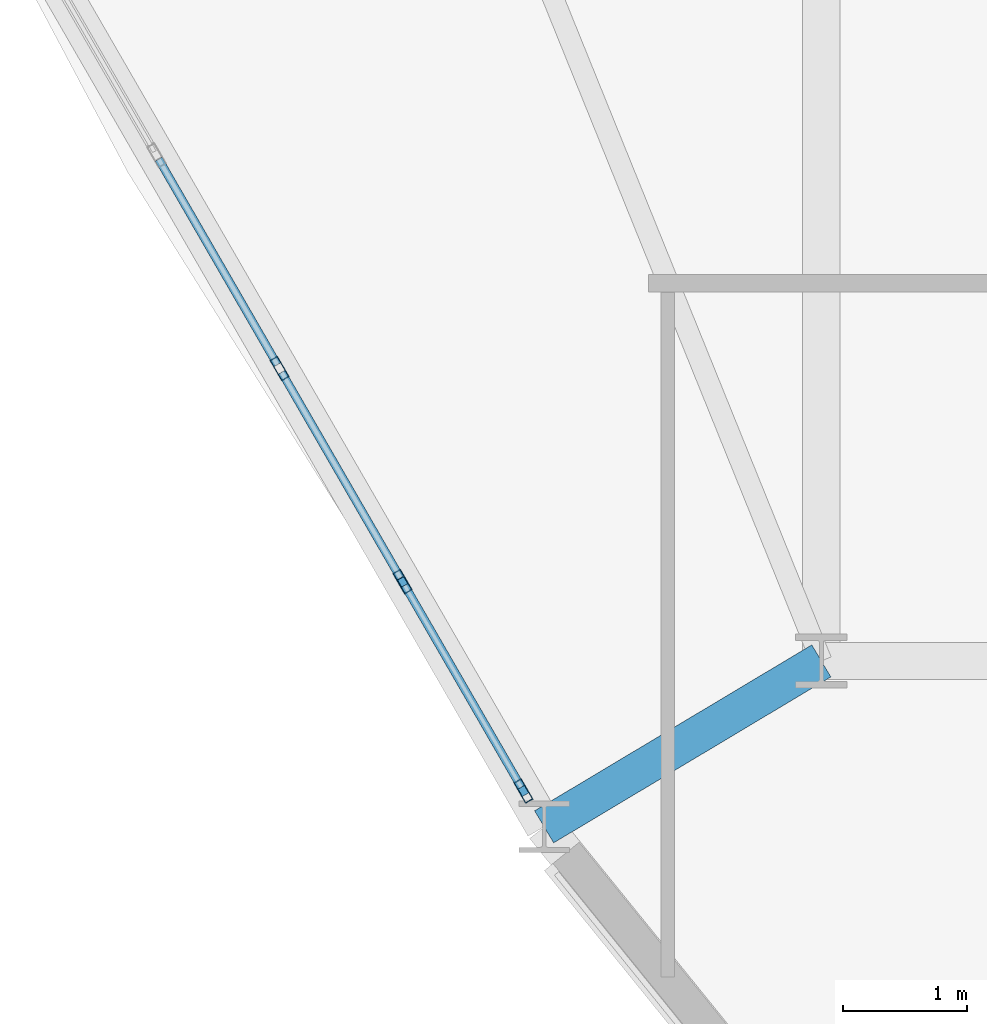
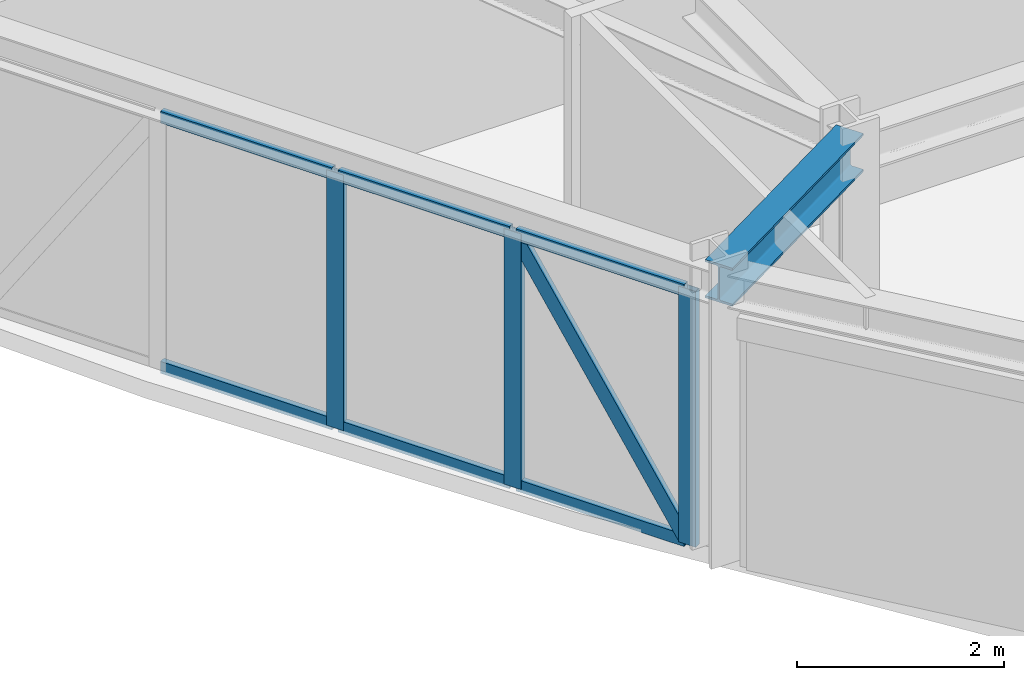
# One storey, part 2 of 14: 10 members, 1 beam, 1 element without a shape of its own.
"""IFC4 building model written with IfcOpenShell, lengths in metres."""

import ifcopenshell
import ifcopenshell.guid

model = None  # the IFC model being written
_history = None  # IfcOwnerHistory: only IFC2X3 demands one
_inside = {}  # id of a spatial element -> (the spatial element, [elements in it])
_under = {}  # id of a project, library or spatial element -> (it, [spatial elements below it])
_declared = {}  # id of a project -> (the project, [libraries it declares])
_typed = {}  # id of a type object -> (the type object, [elements of that type])
_made_of = {}  # id of a material, layer set ... -> (it, [elements and type objects made of it])


def new_model(schema):
    """Start an empty IFC model of exactly this schema.

    Asked for "IFC4X3", IfcOpenShell would pick the latest addendum, in which some entities
    have other attributes; the version numbers below select the first issue.
    IFC2X3 requires an IfcOwnerHistory on every rooted entity: one is made here for all.
    """
    global model, _history
    if schema == "IFC4X3":
        model = ifcopenshell.file(schema_version=(4, 3, 0, 0))
    else:
        model = ifcopenshell.file(schema=schema)
    _inside.clear()
    _under.clear()
    _declared.clear()
    _typed.clear()
    _made_of.clear()
    _history = None
    if model.schema == "IFC2X3":
        org = make("IfcOrganization", Name="unknown")
        user = make(
            "IfcPersonAndOrganization",
            ThePerson=make("IfcPerson", FamilyName="unknown"),
            TheOrganization=org,
        )
        app = make(
            "IfcApplication",
            ApplicationDeveloper=org,
            Version="unknown",
            ApplicationFullName="unknown",
            ApplicationIdentifier="unknown",
        )
        _history = make(
            "IfcOwnerHistory",
            OwningUser=user,
            OwningApplication=app,
            ChangeAction="ADDED",
            CreationDate=0,
        )
    return model


def make(cls, **values):
    """One entity of the class cls with the attributes given. An attribute that is None is left unset."""
    return model.create_entity(
        cls, **{name: value for name, value in values.items() if value is not None}
    )


def rooted(cls, **values):
    """An entity with a GlobalId (a new one), such as an element, a storey or a relation."""
    return make(cls, GlobalId=ifcopenshell.guid.new(), OwnerHistory=_history, **values)


def si_unit(unit_type, name, prefix=None):
    """IfcSIUnit, for example si_unit("LENGTHUNIT", "METRE", prefix="MILLI")."""
    return make("IfcSIUnit", UnitType=unit_type, Prefix=prefix, Name=name)


def derived_unit(unit_type, elements):
    """IfcDerivedUnit: a product of units, each with its exponent."""
    return make(
        "IfcDerivedUnit",
        Elements=[
            make("IfcDerivedUnitElement", Unit=unit, Exponent=power)
            for unit, power in elements
        ],
        UnitType=unit_type,
    )


def assignment(units):
    """IfcUnitAssignment: the units of a project."""
    return None if units is None else make("IfcUnitAssignment", Units=units)


def point(xyz):
    """IfcCartesianPoint."""
    return None if xyz is None else make("IfcCartesianPoint", Coordinates=xyz)


def direction(xyz):
    """IfcDirection."""
    return None if xyz is None else make("IfcDirection", DirectionRatios=xyz)


def frame(location, z_axis=None, x_axis=None):
    """IfcAxis2Placement3D, a coordinate frame: its origin and axes. An axis left out is left unset."""
    return make(
        "IfcAxis2Placement3D",
        Location=point(location),
        Axis=direction(z_axis),
        RefDirection=direction(x_axis),
    )


def frame_2d(location, x_axis=None):
    """IfcAxis2Placement2D, a coordinate frame in the plane: its origin and x axis."""
    return make(
        "IfcAxis2Placement2D", Location=point(location), RefDirection=direction(x_axis)
    )


def origin():
    """The frame at (0, 0, 0) with its axes left unset."""
    return frame((0.0, 0.0, 0.0))


def origin_2d():
    """The frame at (0, 0) in the plane with its x axis left unset."""
    return frame_2d((0.0, 0.0))


def place(relative_to, where):
    """IfcLocalPlacement: puts the frame where relative to a parent placement (None: the world)."""
    return make(
        "IfcLocalPlacement", PlacementRelTo=relative_to, RelativePlacement=where
    )


def context(
    kind, dimensions, precision=None, world=None, true_north=None, identifier=None
):
    """IfcGeometricRepresentationContext, for example the 3D "Model" context."""
    return make(
        "IfcGeometricRepresentationContext",
        ContextIdentifier=identifier,
        ContextType=kind,
        CoordinateSpaceDimension=dimensions,
        Precision=precision,
        WorldCoordinateSystem=world,
        TrueNorth=true_north,
    )


def subcontext(parent, identifier, kind, view, scale=None):
    """IfcGeometricRepresentationSubContext, for example "Body" below "Model"."""
    return make(
        "IfcGeometricRepresentationSubContext",
        ContextIdentifier=identifier,
        ContextType=kind,
        ParentContext=parent,
        TargetScale=scale,
        TargetView=view,
    )


def project(units=None, contexts=None):
    """IfcProject with its units and contexts."""
    return rooted(
        "IfcProject",
        Name="project",
        RepresentationContexts=contexts,
        UnitsInContext=assignment(units),
    )


def spatial(cls, under=None, at=None, **own):
    """A site, building, storey or space (cls), placed at a placement, below another one or the project."""
    s = rooted(cls, ObjectPlacement=at, **own)
    if under is not None:
        _under.setdefault(under.id(), (under, []))[1].append(s)
    return s


def profile(cls, at=None, kind="AREA", **sizes):
    """A parametric profile (cls). Its sizes go by their IFC names, for example OverallWidth=200.0."""
    return make(cls, ProfileType=kind, Position=at, **sizes)


def hollow_rectangle(**sizes):
    """IfcRectangleHollowProfileDef."""
    return profile("IfcRectangleHollowProfileDef", **sizes)


def i_section(**sizes):
    """IfcIShapeProfileDef."""
    return profile("IfcIShapeProfileDef", **sizes)


def extrude(swept, where, along, depth):
    """IfcExtrudedAreaSolid: the profile swept, set in the frame where, extruded along a direction by depth."""
    return make(
        "IfcExtrudedAreaSolid",
        SweptArea=swept,
        Position=where,
        ExtrudedDirection=direction(along),
        Depth=depth,
    )


def shape(context_of_items, identifier, shape_type, items):
    """IfcShapeRepresentation: the items that make up one representation, for example the "Body"."""
    return make(
        "IfcShapeRepresentation",
        ContextOfItems=context_of_items,
        RepresentationIdentifier=identifier,
        RepresentationType=shape_type,
        Items=items,
    )


def source(mapping_origin, context_of_items, identifier, shape_type, items):
    """IfcRepresentationMap: a shape defined once, which mapped items show again and again."""
    return make(
        "IfcRepresentationMap",
        MappingOrigin=mapping_origin,
        MappedRepresentation=shape(context_of_items, identifier, shape_type, items),
    )


def transform(
    local_origin,
    x_axis=None,
    y_axis=None,
    z_axis=None,
    scale=None,
    scale2=None,
    scale3=None,
    uniform=True,
):
    """IfcCartesianTransformationOperator3D, or its non-uniform kind. x_axis, y_axis, z_axis: its Axis1, 2, 3."""
    if uniform:
        return make(
            "IfcCartesianTransformationOperator3D",
            Axis1=direction(x_axis),
            Axis2=direction(y_axis),
            LocalOrigin=point(local_origin),
            Scale=scale,
            Axis3=direction(z_axis),
        )
    return make(
        "IfcCartesianTransformationOperator3DnonUniform",
        Axis1=direction(x_axis),
        Axis2=direction(y_axis),
        LocalOrigin=point(local_origin),
        Scale=scale,
        Axis3=direction(z_axis),
        Scale2=scale2,
        Scale3=scale3,
    )


def mapped(mapping_source, mapping_target):
    """IfcMappedItem: shows the shape of a source again, moved by a transform."""
    return make(
        "IfcMappedItem", MappingSource=mapping_source, MappingTarget=mapping_target
    )


def material(Name=None, Category=None):
    """IfcMaterial."""
    return make("IfcMaterial", Name=Name, Category=Category)


def layer(
    of_material, thickness, ventilated=None, Name=None, Category=None, Priority=None
):
    """IfcMaterialLayer: one layer of a wall or slab, of a material (None: an air gap)."""
    return make(
        "IfcMaterialLayer",
        Material=of_material,
        LayerThickness=thickness,
        IsVentilated=ventilated,
        Name=Name,
        Category=Category,
        Priority=Priority,
    )


def layer_set(layers, Name=None):
    """IfcMaterialLayerSet."""
    return make("IfcMaterialLayerSet", MaterialLayers=layers, LayerSetName=Name)


def material_profile(
    of_material, cross_section, Name=None, Category=None, Priority=None
):
    """IfcMaterialProfile: a cross section and its material."""
    return make(
        "IfcMaterialProfile",
        Name=Name,
        Material=of_material,
        Profile=cross_section,
        Priority=Priority,
        Category=Category,
    )


def profile_set(profiles, Name=None, composite=None):
    """IfcMaterialProfileSet."""
    return make(
        "IfcMaterialProfileSet",
        Name=Name,
        MaterialProfiles=profiles,
        CompositeProfile=composite,
    )


def made_of(thing, what):
    """Note that an element or type object is made of a material, layer set ...; save() writes the relation."""
    if what is not None:
        _made_of.setdefault(what.id(), (what, []))[1].append(thing)
    return thing


def type_object(cls, material=None, **own):
    """A type object (cls), such as IfcWallType, which elements share."""
    return made_of(rooted(cls, **own), material)


def element(
    cls,
    number,
    at=None,
    inside=None,
    cuts=None,
    type_object=None,
    material=None,
    context=None,
    identifier="Body",
    shape_type=None,
    held_by="IfcProductDefinitionShape",
    body=None,
    shapes=None,
    **own,
):
    """One element of the class cls, such as IfcWall. Its Tag is "e" and its number.

    at: its placement. inside: the storey or other place that contains it. cuts: it is an
    opening in that element (IfcRelVoidsElement). A single representation is given by context,
    identifier, shape_type and body (its items); several are given by shapes. held_by: the class
    of the entity that holds the representations. save() writes the other relations.
    """
    e = rooted(cls, Tag="e%d" % number, ObjectPlacement=at, **own)
    if body is not None:
        shapes = [shape(context, identifier, shape_type, body)]
    if shapes is not None:
        e.Representation = make(held_by, Representations=shapes)
    if inside is not None:
        _inside.setdefault(inside.id(), (inside, []))[1].append(e)
    if cuts is not None:
        rooted(
            "IfcRelVoidsElement", RelatingBuildingElement=cuts, RelatedOpeningElement=e
        )
    if type_object is not None:
        _typed.setdefault(type_object.id(), (type_object, []))[1].append(e)
    return made_of(e, material)


def aggregate(whole, parts):
    """IfcRelAggregates: a whole, such as a stair, and the parts it consists of."""
    return rooted("IfcRelAggregates", RelatingObject=whole, RelatedObjects=parts)


def save(model, path):
    """Write the relations noted so far, then the file.

    IfcRelAggregates (storeys below a building ...), IfcRelContainedInSpatialStructure (elements
    in a storey), IfcRelDefinesByType, IfcRelAssociatesMaterial and IfcRelDeclares: one each for
    every whole, place, type object, material and project.
    """
    for whole, parts in _under.values():
        aggregate(whole, parts)
    for where, things in _inside.values():
        rooted(
            "IfcRelContainedInSpatialStructure",
            RelatedElements=things,
            RelatingStructure=where,
        )
    for kind, things in _typed.values():
        rooted("IfcRelDefinesByType", RelatedObjects=things, RelatingType=kind)
    for what, things in _made_of.values():
        rooted("IfcRelAssociatesMaterial", RelatedObjects=things, RelatingMaterial=what)
    for by, libraries in _declared.values():
        rooted("IfcRelDeclares", RelatingContext=by, RelatedDefinitions=libraries)
    model.write(path)


model = new_model("IFC4")

# Units and contexts
model_context = context("Model", 3, precision=1e-05, world=origin(), true_north=direction((0.0, 1.0)))
body_context = subcontext(model_context, "Body", "Model", "MODEL_VIEW")
ifc_project = project(units=[si_unit("LENGTHUNIT", "METRE"), si_unit("AREAUNIT", "SQUARE_METRE"), si_unit("VOLUMEUNIT", "CUBIC_METRE"), si_unit("PLANEANGLEUNIT", "RADIAN"), si_unit("MASSUNIT", "GRAM", prefix="KILO"), derived_unit("THERMALTRANSMITTANCEUNIT", [(si_unit("POWERUNIT", "WATT"), 1), (si_unit("LENGTHUNIT", "METRE"), -2), (si_unit("THERMODYNAMICTEMPERATUREUNIT", "KELVIN"), -1)])], contexts=[model_context])

# Site, building, storey
site_placement = place(None, origin())
site = spatial("IfcSite", under=ifc_project, at=site_placement, CompositionType="ELEMENT")
building_placement = place(site_placement, origin())
building = spatial("IfcBuilding", under=site, at=building_placement, Name="Korsvarv Bourse and Concert Hall", CompositionType="ELEMENT")
storey_placement = place(building_placement, frame((0.0, 0.0, 190.199951171875)))
storey = spatial("IfcBuildingStorey", under=building, at=storey_placement, Name="L49", CompositionType="ELEMENT", Elevation=190.199951171875)

# Beam
ifc_material_1 = material(Name="Steel S355", Category="steel")
ifc_material_profile_1 = material_profile(ifc_material_1, i_section(OverallWidth=0.300048828125, OverallDepth=0.449951171875, WebThickness=0.013916015625, FlangeThickness=0.02587890625, FilletRadius=0.02099609375, at=origin_2d()), Name="HEB 450")
ifc_profile_set_1 = profile_set([ifc_material_profile_1], Name="Steel S355")
beam_type = type_object("IfcBeamType", Name="BM-HEB450", PredefinedType="SPANDREL", material=ifc_profile_set_1)
shared_shape_1 = source(origin(), body_context, "Body", "SweptSolid", [
    extrude(i_section(OverallWidth=0.300048828125, OverallDepth=0.449951171875, WebThickness=0.013916015625, FlangeThickness=0.02587890625, FilletRadius=0.02099609375, at=origin_2d()), origin(), (0.0, 0.0, 1.0), 2.59765625),
])
beam_placement = place(storey_placement, frame((25.37109375, 22.666015625, 3.175048828125), z_axis=(0.858072868624, 0.513527946787, 0.0), x_axis=(-0.513527946787, 0.858072868624, 0.0)))
element("IfcBeam", 1, at=beam_placement, inside=storey, type_object=beam_type, Name="L49 beam B-08", PredefinedType="SPANDREL", context=body_context, shape_type="MappedRepresentation", body=[
    mapped(shared_shape_1, transform((0.0, 0.0, 0.0), scale=1.0)),
])

# Curtain wall, members
ifc_material_2 = material(Name="Anodised aluminium and triple low-E glazing", Category="glass")
ifc_layer = layer(ifc_material_2, 0.199951171875)
ifc_layer_set = layer_set([ifc_layer], Name="Anodised aluminium and triple low-E glazing")
curtain_wall_type = type_object("IfcCurtainWallType", Name="CW-SYS-3", PredefinedType="NOTDEFINED", material=ifc_layer_set)
curtain_wall_placement = place(storey_placement, origin())
curtain_wall = element("IfcCurtainWall", 2, at=curtain_wall_placement, inside=storey, type_object=curtain_wall_type, Name="L49 CW3 curtain wall CW-L49-F07", PredefinedType="NOTDEFINED")
ifc_material_3 = material(Name="Extruded aluminium EN AW-6063 T66", Category="aluminium")
ifc_material_profile_2 = material_profile(ifc_material_3, hollow_rectangle(XDim=0.06494140625, YDim=0.139892578125, WallThickness=0.00390625, at=origin_2d()), Name="ALU-T 65x140")
ifc_profile_set_2 = profile_set([ifc_material_profile_2], Name="Extruded aluminium EN AW-6063 T66")
member_type_1 = type_object("IfcMemberType", Name="CWT-140", PredefinedType="USERDEFINED", material=ifc_profile_set_2)
shared_shape_2 = source(origin(), body_context, "Body", "SweptSolid", [
    extrude(hollow_rectangle(XDim=0.06494140625, YDim=0.139892578125, WallThickness=0.00390625, at=origin_2d()), origin(), (0.0, 0.0, 1.0), 1.908447265625),
])
member_1_placement = place(storey_placement, frame((22.272216796875, 28.033935546875, 0.032470703125), z_axis=(0.499936548189, -0.866062034606, 0.0), x_axis=(0.866062034606, 0.499936548189, 0.0)))
member_1 = element("IfcMember", 3, at=member_1_placement, type_object=member_type_1, Name="CW3 transom 4.1", ObjectType="TRANSOM", PredefinedType="USERDEFINED", context=body_context, shape_type="MappedRepresentation", body=[
    mapped(shared_shape_2, transform((0.0, 0.0, 0.0), scale=1.0)),
])
member_2_placement = place(storey_placement, frame((22.272216796875, 28.033935546875, 2.9775390625), z_axis=(0.499936548189, -0.866062034606, 0.0), x_axis=(0.866062034606, 0.499936548189, 0.0)))
member_2 = element("IfcMember", 4, at=member_2_placement, type_object=member_type_1, Name="CW3 transom 4.2", ObjectType="TRANSOM", PredefinedType="USERDEFINED", context=body_context, shape_type="MappedRepresentation", body=[
    mapped(shared_shape_2, transform((0.0, 0.0, 0.0), scale=1.0)),
])
member_3_placement = place(storey_placement, frame((23.26123046875, 26.320556640625, 0.032470703125), z_axis=(0.500032491935, -0.866006643745, 0.0), x_axis=(0.866006643745, 0.500032491935, 0.0)))
member_3 = element("IfcMember", 5, at=member_3_placement, type_object=member_type_1, Name="CW3 transom 5.1", ObjectType="TRANSOM", PredefinedType="USERDEFINED", context=body_context, shape_type="MappedRepresentation", body=[
    mapped(shared_shape_2, transform((0.0, 0.0, 0.0), scale=1.0)),
])
member_4_placement = place(storey_placement, frame((23.26123046875, 26.320556640625, 2.9775390625), z_axis=(0.500032491935, -0.866006643745, 0.0), x_axis=(0.866006643745, 0.500032491935, 0.0)))
member_4 = element("IfcMember", 6, at=member_4_placement, type_object=member_type_1, Name="CW3 transom 5.2", ObjectType="TRANSOM", PredefinedType="USERDEFINED", context=body_context, shape_type="MappedRepresentation", body=[
    mapped(shared_shape_2, transform((0.0, 0.0, 0.0), scale=1.0)),
])
ifc_material_profile_3 = material_profile(ifc_material_3, hollow_rectangle(XDim=0.070068359375, YDim=0.18994140625, WallThickness=0.0048828125, at=origin_2d()), Name="ALU-M 70x190")
ifc_profile_set_3 = profile_set([ifc_material_profile_3], Name="Extruded aluminium EN AW-6063 T66")
member_type_2 = type_object("IfcMemberType", Name="CWM-190", PredefinedType="MULLION", material=ifc_profile_set_3)
shared_shape_3 = source(origin(), body_context, "Body", "SweptSolid", [
    extrude(hollow_rectangle(XDim=0.070068359375, YDim=0.18994140625, WallThickness=0.0048828125, at=origin_2d()), origin(), (0.0, 0.0, 1.0), 3.010009765625),
])
member_5_placement = place(storey_placement, frame((23.243896484375, 26.350830078125, 0.0), z_axis=(0.0, 0.0, 1.0), x_axis=(0.866029726531, 0.499992512708, 0.0)))
member_5 = element("IfcMember", 7, at=member_5_placement, type_object=member_type_2, Name="CW3 mullion 5", PredefinedType="MULLION", context=body_context, shape_type="MappedRepresentation", body=[
    mapped(shared_shape_3, transform((0.0, 0.0, 0.0), scale=1.0)),
])
member_6_placement = place(storey_placement, frame((24.23291015625, 24.637451171875, 0.0), z_axis=(0.0, 0.0, 1.0), x_axis=(0.866029726531, 0.499992512708, 0.0)))
member_6 = element("IfcMember", 8, at=member_6_placement, type_object=member_type_2, Name="CW3 mullion 6", PredefinedType="MULLION", context=body_context, shape_type="MappedRepresentation", body=[
    mapped(shared_shape_3, transform((0.0, 0.0, 0.0), scale=1.0)),
])
member_7_placement = place(storey_placement, frame((25.20458984375, 22.954345703125, 0.0), z_axis=(0.0, 0.0, 1.0), x_axis=(0.866029726531, 0.499992512708, 0.0)))
member_7 = element("IfcMember", 9, at=member_7_placement, type_object=member_type_2, Name="CW3 mullion 7", PredefinedType="MULLION", context=body_context, shape_type="MappedRepresentation", body=[
    mapped(shared_shape_3, transform((0.0, 0.0, 0.0), scale=1.0)),
])
shared_shape_4 = source(origin(), body_context, "Body", "SweptSolid", [
    extrude(hollow_rectangle(XDim=0.06494140625, YDim=0.139892578125, WallThickness=0.00390625, at=origin_2d()), origin(), (0.0, 0.0, 1.0), 1.87353515625),
])
member_8_placement = place(storey_placement, frame((24.25048828125, 24.607177734375, 0.032470703125), z_axis=(0.49999316964, -0.866029347258, 0.0), x_axis=(0.866029347258, 0.49999316964, 0.0)))
member_8 = element("IfcMember", 10, at=member_8_placement, type_object=member_type_1, Name="CW3 transom 6.1", ObjectType="TRANSOM", PredefinedType="USERDEFINED", context=body_context, shape_type="MappedRepresentation", body=[
    mapped(shared_shape_4, transform((0.0, 0.0, 0.0), scale=1.0)),
])
member_9_placement = place(storey_placement, frame((24.25048828125, 24.607177734375, 2.9775390625), z_axis=(0.49999316964, -0.866029347258, 0.0), x_axis=(0.866029347258, 0.49999316964, 0.0)))
member_9 = element("IfcMember", 11, at=member_9_placement, type_object=member_type_1, Name="CW3 transom 6.2", ObjectType="TRANSOM", PredefinedType="USERDEFINED", context=body_context, shape_type="MappedRepresentation", body=[
    mapped(shared_shape_4, transform((0.0, 0.0, 0.0), scale=1.0)),
])
ifc_material_profile_4 = material_profile(ifc_material_3, hollow_rectangle(XDim=0.06494140625, YDim=0.1650390625, WallThickness=0.0048828125, at=origin_2d()), Name="ALU-M 65x165")
ifc_profile_set_4 = profile_set([ifc_material_profile_4], Name="Extruded aluminium EN AW-6063 T66")
member_type_3 = type_object("IfcMemberType", Name="CWM-165", PredefinedType="MULLION", material=ifc_profile_set_4)
shared_shape_5 = source(origin(), body_context, "Body", "SweptSolid", [
    extrude(hollow_rectangle(XDim=0.06494140625, YDim=0.1650390625, WallThickness=0.0048828125, at=origin_2d()), origin(), (0.0, 0.0, 1.0), 3.435791015625),
])
member_10_placement = place(storey_placement, frame((25.187255859375, 22.984619140625, 0.06494140625), z_axis=(-0.272641656914, 0.472237803453, 0.83824697071), x_axis=(-0.866029347258, -0.49999316964, 0.0)))
member_10 = element("IfcMember", 12, at=member_10_placement, type_object=member_type_3, Name="CW3 diagonal mullion 6", PredefinedType="MULLION", context=body_context, shape_type="MappedRepresentation", body=[
    mapped(shared_shape_5, transform((0.0, 0.0, 0.0), scale=1.0)),
])
aggregate(curtain_wall, [member_5, member_6, member_7, member_1, member_2, member_3, member_4, member_8, member_9, member_10])

save(model, "model.ifc")
